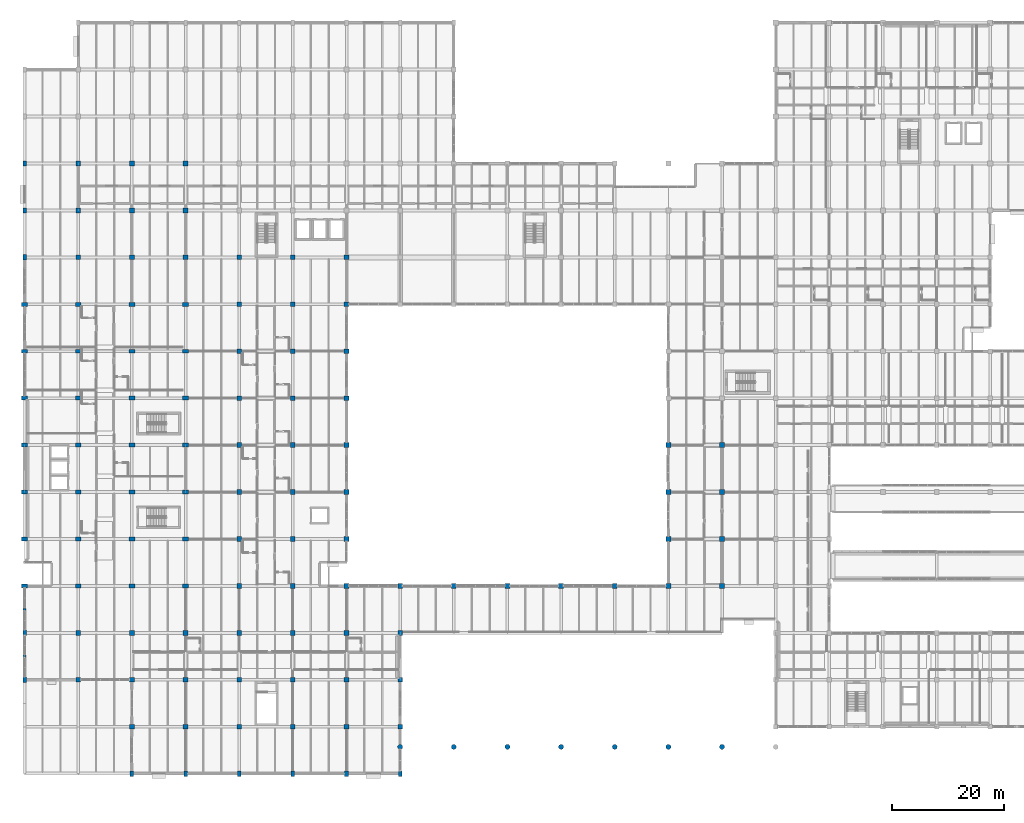
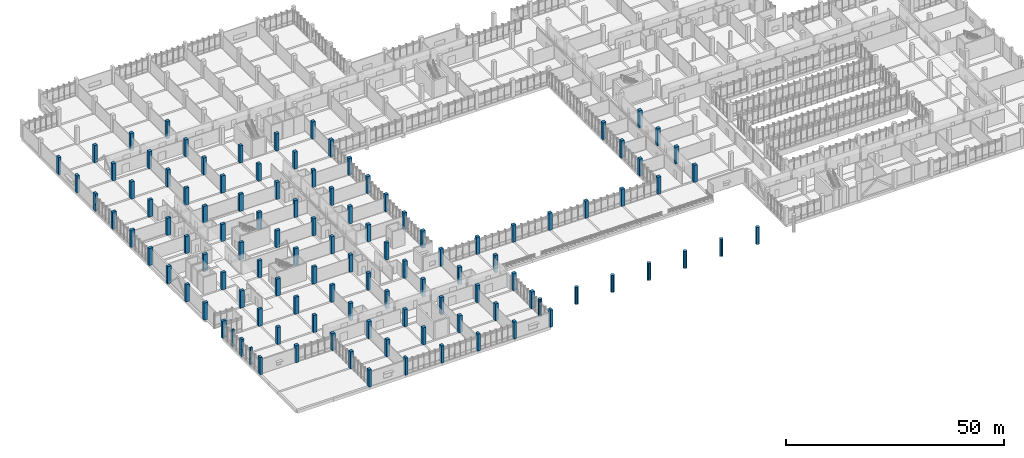
# One storey, part 1 of 152: 114 columns.
"""IFC4 building model written with IfcOpenShell, lengths in metres."""

from ifc_helpers import new_model, si_unit, direction, frame, origin, origin_2d, place, context, subcontext, project, spatial, rectangle, circle, extrude, material, material_profile, profile_set, type_object, element, save


model = new_model("IFC4")

# Units and contexts
model_context = context("Model", 3, precision=1e-05, world=origin(), true_north=direction((0.0, 1.0)))
body_context = subcontext(model_context, "Body", "Model", "MODEL_VIEW")
ifc_project = project(units=[si_unit("LENGTHUNIT", "METRE"), si_unit("AREAUNIT", "SQUARE_METRE"), si_unit("VOLUMEUNIT", "CUBIC_METRE"), si_unit("PLANEANGLEUNIT", "RADIAN"), si_unit("MASSUNIT", "GRAM", prefix="KILO")], contexts=[model_context])

# Site, building, storey
site_placement = place(None, origin())
site = spatial("IfcSite", under=ifc_project, at=site_placement, CompositionType="ELEMENT")
building_placement = place(site_placement, origin())
building = spatial("IfcBuilding", under=site, at=building_placement, Name="Oolite Switchyard Hospital", CompositionType="ELEMENT")
storey_placement = place(building_placement, frame((0.0, 0.0, 5.10009765625)))
storey = spatial("IfcBuildingStorey", under=building, at=storey_placement, Name="L01", CompositionType="ELEMENT", Elevation=5.10009765625)

# Columns
ifc_material_1 = material(Name="Precast concrete C40/50", Category="concrete")
ifc_material_profile_1 = material_profile(ifc_material_1, circle(Radius=0.449951171875, at=origin_2d()), Name="RCCOL900")
ifc_profile_set_1 = profile_set([ifc_material_profile_1], Name="Precast concrete C40/50")
column_type_1 = type_object("IfcColumnType", Name="COL-PORT900", PredefinedType="COLUMN", material=ifc_profile_set_1)
for number, where, z_axis, x_axis, name in (
    (1, (67.199951171875, 4.800048828125, 0.0), (0.0, 0.0, 1.0), (1.0, 0.0, 0.0), "L01 Column 445"),
    (2, (76.800048828125, 4.800048828125, 0.0), (0.0, 0.0, 1.0), (1.0, 0.0, 0.0), "L01 Column 457"),
    (3, (86.39990234375, 4.800048828125, 0.0), (0.0, 0.0, 1.0), (1.0, 0.0, 0.0), "L01 Column 466"),
    (4, (96.0, 4.800048828125, 0.0), (0.0, 0.0, 1.0), (1.0, 0.0, 0.0), "L01 Column 472"),
    (5, (105.60009765625, 4.800048828125, 0.0), (0.0, 0.0, 1.0), (1.0, 0.0, 0.0), "L01 Column 478"),
    (6, (115.199951171875, 4.800048828125, 0.0), (0.0, 0.0, 1.0), (1.0, 0.0, 0.0), "L01 Column 484"),
    (7, (124.800048828125, 4.800048828125, 0.0), (0.0, 0.0, 1.0), (1.0, 0.0, 0.0), "L01 Column 495"),
):
    element("IfcColumn", number, at=place(storey_placement, frame(where, z_axis=z_axis, x_axis=x_axis)), inside=storey, type_object=column_type_1, Name=name, PredefinedType="COLUMN", context=body_context, shape_type="SweptSolid", body=[
        extrude(circle(Radius=0.449951171875, at=origin_2d()), origin(), (0.0, 0.0, 1.0), 4.7998046875),
    ])
ifc_material_2 = material(Name="Concrete C50/60", Category="concrete")
ifc_material_profile_2 = material_profile(ifc_material_2, rectangle(XDim=0.85009765625, YDim=0.85009765625, at=origin_2d()), Name="RC850X850")
ifc_profile_set_2 = profile_set([ifc_material_profile_2], Name="Concrete C50/60")
column_type_2 = type_object("IfcColumnType", Name="COL-RC850", PredefinedType="COLUMN", material=ifc_profile_set_2)
for number, where, z_axis, x_axis, name in (
    (8, (9.60009765625, 16.800048828125, 0.0), (0.0, 0.0, 1.0), (1.0, 0.0, 0.0), "L01 Column 344"),
    (9, (9.60009765625, 25.199951171875, 0.0), (0.0, 0.0, 1.0), (1.0, 0.0, 0.0), "L01 Column 345"),
    (10, (9.60009765625, 92.39990234375, 0.0), (0.0, 0.0, 1.0), (1.0, 0.0, 0.0), "L01 Column 353"),
    (11, (9.60009765625, 100.800048828125, 0.0), (0.0, 0.0, 1.0), (1.0, 0.0, 0.0), "L01 Column 354"),
    (12, (9.60009765625, 109.199951171875, 0.0), (0.0, 0.0, 1.0), (1.0, 0.0, 0.0), "L01 Column 355"),
    (13, (19.199951171875, 8.39990234375, 0.0), (0.0, 0.0, 1.0), (1.0, 0.0, 0.0), "L01 Column 360"),
    (14, (19.199951171875, 16.800048828125, 0.0), (0.0, 0.0, 1.0), (1.0, 0.0, 0.0), "L01 Column 361"),
    (15, (19.199951171875, 25.199951171875, 0.0), (0.0, 0.0, 1.0), (1.0, 0.0, 0.0), "L01 Column 362"),
    (16, (19.199951171875, 92.39990234375, 0.0), (0.0, 0.0, 1.0), (1.0, 0.0, 0.0), "L01 Column 370"),
    (17, (19.199951171875, 100.800048828125, 0.0), (0.0, 0.0, 1.0), (1.0, 0.0, 0.0), "L01 Column 371"),
    (18, (19.199951171875, 109.199951171875, 0.0), (0.0, 0.0, 1.0), (1.0, 0.0, 0.0), "L01 Column 372"),
    (19, (28.800048828125, 8.39990234375, 0.0), (0.0, 0.0, 1.0), (1.0, 0.0, 0.0), "L01 Column 377"),
    (20, (28.800048828125, 16.800048828125, 0.0), (0.0, 0.0, 1.0), (1.0, 0.0, 0.0), "L01 Column 378"),
    (21, (28.800048828125, 25.199951171875, 0.0), (0.0, 0.0, 1.0), (1.0, 0.0, 0.0), "L01 Column 379"),
    (22, (28.800048828125, 92.39990234375, 0.0), (0.0, 0.0, 1.0), (1.0, 0.0, 0.0), "L01 Column 387"),
    (23, (28.800048828125, 100.800048828125, 0.0), (0.0, 0.0, 1.0), (1.0, 0.0, 0.0), "L01 Column 388"),
    (24, (28.800048828125, 109.199951171875, 0.0), (0.0, 0.0, 1.0), (1.0, 0.0, 0.0), "L01 Column 389"),
    (25, (38.39990234375, 8.39990234375, 0.0), (0.0, 0.0, 1.0), (1.0, 0.0, 0.0), "L01 Column 394"),
    (26, (38.39990234375, 16.800048828125, 0.0), (0.0, 0.0, 1.0), (1.0, 0.0, 0.0), "L01 Column 395"),
    (27, (38.39990234375, 25.199951171875, 0.0), (0.0, 0.0, 1.0), (1.0, 0.0, 0.0), "L01 Column 396"),
    (28, (38.39990234375, 33.60009765625, 0.0), (0.0, 0.0, 1.0), (1.0, 0.0, 0.0), "L01 Column 397"),
    (29, (38.39990234375, 42.0, 0.0), (0.0, 0.0, 1.0), (1.0, 0.0, 0.0), "L01 Column 398"),
    (30, (38.39990234375, 50.39990234375, 0.0), (0.0, 0.0, 1.0), (1.0, 0.0, 0.0), "L01 Column 399"),
    (31, (38.39990234375, 58.800048828125, 0.0), (0.0, 0.0, 1.0), (1.0, 0.0, 0.0), "L01 Column 400"),
    (32, (38.39990234375, 67.199951171875, 0.0), (0.0, 0.0, 1.0), (1.0, 0.0, 0.0), "L01 Column 401"),
    (33, (38.39990234375, 75.60009765625, 0.0), (0.0, 0.0, 1.0), (1.0, 0.0, 0.0), "L01 Column 402"),
    (34, (38.39990234375, 84.0, 0.0), (0.0, 0.0, 1.0), (1.0, 0.0, 0.0), "L01 Column 403"),
    (35, (38.39990234375, 92.39990234375, 0.0), (0.0, 0.0, 1.0), (1.0, 0.0, 0.0), "L01 Column 404"),
    (36, (48.0, 8.39990234375, 0.0), (0.0, 0.0, 1.0), (1.0, 0.0, 0.0), "L01 Column 411"),
    (37, (48.0, 16.800048828125, 0.0), (0.0, 0.0, 1.0), (1.0, 0.0, 0.0), "L01 Column 412"),
    (38, (48.0, 25.199951171875, 0.0), (0.0, 0.0, 1.0), (1.0, 0.0, 0.0), "L01 Column 413"),
    (39, (48.0, 33.60009765625, 0.0), (0.0, 0.0, 1.0), (1.0, 0.0, 0.0), "L01 Column 414"),
    (40, (48.0, 42.0, 0.0), (0.0, 0.0, 1.0), (1.0, 0.0, 0.0), "L01 Column 415"),
    (41, (48.0, 50.39990234375, 0.0), (0.0, 0.0, 1.0), (1.0, 0.0, 0.0), "L01 Column 416"),
    (42, (48.0, 58.800048828125, 0.0), (0.0, 0.0, 1.0), (1.0, 0.0, 0.0), "L01 Column 417"),
    (43, (48.0, 67.199951171875, 0.0), (0.0, 0.0, 1.0), (1.0, 0.0, 0.0), "L01 Column 418"),
    (44, (48.0, 75.60009765625, 0.0), (0.0, 0.0, 1.0), (1.0, 0.0, 0.0), "L01 Column 419"),
    (45, (48.0, 84.0, 0.0), (0.0, 0.0, 1.0), (1.0, 0.0, 0.0), "L01 Column 420"),
    (46, (48.0, 92.39990234375, 0.0), (0.0, 0.0, 1.0), (1.0, 0.0, 0.0), "L01 Column 421"),
    (47, (57.60009765625, 8.39990234375, 0.0), (0.0, 0.0, 1.0), (1.0, 0.0, 0.0), "L01 Column 428"),
    (48, (57.60009765625, 16.800048828125, 0.0), (0.0, 0.0, 1.0), (1.0, 0.0, 0.0), "L01 Column 429"),
    (49, (57.60009765625, 25.199951171875, 0.0), (0.0, 0.0, 1.0), (1.0, 0.0, 0.0), "L01 Column 430"),
    (50, (57.60009765625, 33.60009765625, 0.0), (0.0, 0.0, 1.0), (1.0, 0.0, 0.0), "L01 Column 431"),
    (51, (57.60009765625, 42.0, 0.0), (0.0, 0.0, 1.0), (1.0, 0.0, 0.0), "L01 Column 432"),
    (52, (57.60009765625, 50.39990234375, 0.0), (0.0, 0.0, 1.0), (1.0, 0.0, 0.0), "L01 Column 433"),
    (53, (57.60009765625, 58.800048828125, 0.0), (0.0, 0.0, 1.0), (1.0, 0.0, 0.0), "L01 Column 434"),
    (54, (57.60009765625, 67.199951171875, 0.0), (0.0, 0.0, 1.0), (1.0, 0.0, 0.0), "L01 Column 435"),
    (55, (57.60009765625, 75.60009765625, 0.0), (0.0, 0.0, 1.0), (1.0, 0.0, 0.0), "L01 Column 436"),
    (56, (57.60009765625, 84.0, 0.0), (0.0, 0.0, 1.0), (1.0, 0.0, 0.0), "L01 Column 437"),
    (57, (57.60009765625, 92.39990234375, 0.0), (0.0, 0.0, 1.0), (1.0, 0.0, 0.0), "L01 Column 438"),
    (58, (67.199951171875, 8.39990234375, 0.0), (0.0, 0.0, 1.0), (1.0, 0.0, 0.0), "L01 Column 446"),
    (59, (67.199951171875, 16.800048828125, 0.0), (0.0, 0.0, 1.0), (1.0, 0.0, 0.0), "L01 Column 447"),
    (60, (67.199951171875, 25.199951171875, 0.0), (0.0, 0.0, 1.0), (1.0, 0.0, 0.0), "L01 Column 448"),
    (61, (67.199951171875, 33.60009765625, 0.0), (0.0, 0.0, 1.0), (1.0, 0.0, 0.0), "L01 Column 449"),
    (62, (76.800048828125, 33.60009765625, 0.0), (0.0, 0.0, 1.0), (1.0, 0.0, 0.0), "L01 Column 458"),
    (63, (86.39990234375, 33.60009765625, 0.0), (0.0, 0.0, 1.0), (1.0, 0.0, 0.0), "L01 Column 467"),
    (64, (96.0, 33.60009765625, 0.0), (0.0, 0.0, 1.0), (1.0, 0.0, 0.0), "L01 Column 473"),
    (65, (105.60009765625, 33.60009765625, 0.0), (0.0, 0.0, 1.0), (1.0, 0.0, 0.0), "L01 Column 479"),
    (66, (115.199951171875, 33.60009765625, 0.0), (0.0, 0.0, 1.0), (1.0, 0.0, 0.0), "L01 Column 485"),
    (67, (115.199951171875, 42.0, 0.0), (0.0, 0.0, 1.0), (1.0, 0.0, 0.0), "L01 Column 486"),
    (68, (115.199951171875, 50.39990234375, 0.0), (0.0, 0.0, 1.0), (1.0, 0.0, 0.0), "L01 Column 487"),
    (69, (115.199951171875, 58.800048828125, 0.0), (0.0, 0.0, 1.0), (1.0, 0.0, 0.0), "L01 Column 488"),
    (70, (124.800048828125, 33.60009765625, 0.0), (0.0, 0.0, 1.0), (1.0, 0.0, 0.0), "L01 Column 496"),
    (71, (124.800048828125, 42.0, 0.0), (0.0, 0.0, 1.0), (1.0, 0.0, 0.0), "L01 Column 497"),
    (72, (124.800048828125, 50.39990234375, 0.0), (0.0, 0.0, 1.0), (1.0, 0.0, 0.0), "L01 Column 498"),
    (73, (124.800048828125, 58.800048828125, 0.0), (0.0, 0.0, 1.0), (1.0, 0.0, 0.0), "L01 Column 499"),
):
    element("IfcColumn", number, at=place(storey_placement, frame(where, z_axis=z_axis, x_axis=x_axis)), inside=storey, type_object=column_type_2, Name=name, PredefinedType="COLUMN", context=body_context, shape_type="SweptSolid", body=[
        extrude(rectangle(XDim=0.85009765625, YDim=0.85009765625, at=origin_2d()), origin(), (0.0, 0.0, 1.0), 4.7998046875),
    ])
ifc_material_profile_3 = material_profile(ifc_material_2, rectangle(XDim=1.050048828125, YDim=0.699951171875, at=origin_2d()), Name="RC1050X700")
ifc_profile_set_3 = profile_set([ifc_material_profile_3], Name="Concrete C50/60")
column_type_3 = type_object("IfcColumnType", Name="COL-RCR1050", PredefinedType="COLUMN", material=ifc_profile_set_3)
for number, where, z_axis, x_axis, name in (
    (74, (0.0, 33.60009765625, 0.0), (0.0, 0.0, 1.0), (1.0, 0.0, 0.0), "L01 Column 332"),
    (75, (0.0, 42.0, 0.0), (0.0, 0.0, 1.0), (1.0, 0.0, 0.0), "L01 Column 333"),
    (76, (0.0, 50.39990234375, 0.0), (0.0, 0.0, 1.0), (1.0, 0.0, 0.0), "L01 Column 334"),
    (77, (0.0, 58.800048828125, 0.0), (0.0, 0.0, 1.0), (1.0, 0.0, 0.0), "L01 Column 335"),
    (78, (0.0, 67.199951171875, 0.0), (0.0, 0.0, 1.0), (1.0, 0.0, 0.0), "L01 Column 336"),
    (79, (0.0, 75.60009765625, 0.0), (0.0, 0.0, 1.0), (1.0, 0.0, 0.0), "L01 Column 337"),
    (80, (0.0, 84.0, 0.0), (0.0, 0.0, 1.0), (1.0, 0.0, 0.0), "L01 Column 338"),
    (81, (9.60009765625, 33.60009765625, 0.0), (0.0, 0.0, 1.0), (1.0, 0.0, 0.0), "L01 Column 346"),
    (82, (9.60009765625, 42.0, 0.0), (0.0, 0.0, 1.0), (1.0, 0.0, 0.0), "L01 Column 347"),
    (83, (9.60009765625, 50.39990234375, 0.0), (0.0, 0.0, 1.0), (1.0, 0.0, 0.0), "L01 Column 348"),
    (84, (9.60009765625, 58.800048828125, 0.0), (0.0, 0.0, 1.0), (1.0, 0.0, 0.0), "L01 Column 349"),
    (85, (9.60009765625, 67.199951171875, 0.0), (0.0, 0.0, 1.0), (1.0, 0.0, 0.0), "L01 Column 350"),
    (86, (9.60009765625, 75.60009765625, 0.0), (0.0, 0.0, 1.0), (1.0, 0.0, 0.0), "L01 Column 351"),
    (87, (9.60009765625, 84.0, 0.0), (0.0, 0.0, 1.0), (1.0, 0.0, 0.0), "L01 Column 352"),
    (88, (19.199951171875, 33.60009765625, 0.0), (0.0, 0.0, 1.0), (1.0, 0.0, 0.0), "L01 Column 363"),
    (89, (19.199951171875, 42.0, 0.0), (0.0, 0.0, 1.0), (1.0, 0.0, 0.0), "L01 Column 364"),
    (90, (19.199951171875, 50.39990234375, 0.0), (0.0, 0.0, 1.0), (1.0, 0.0, 0.0), "L01 Column 365"),
    (91, (19.199951171875, 58.800048828125, 0.0), (0.0, 0.0, 1.0), (1.0, 0.0, 0.0), "L01 Column 366"),
    (92, (19.199951171875, 67.199951171875, 0.0), (0.0, 0.0, 1.0), (1.0, 0.0, 0.0), "L01 Column 367"),
    (93, (19.199951171875, 75.60009765625, 0.0), (0.0, 0.0, 1.0), (1.0, 0.0, 0.0), "L01 Column 368"),
    (94, (19.199951171875, 84.0, 0.0), (0.0, 0.0, 1.0), (1.0, 0.0, 0.0), "L01 Column 369"),
    (95, (28.800048828125, 33.60009765625, 0.0), (0.0, 0.0, 1.0), (1.0, 0.0, 0.0), "L01 Column 380"),
    (96, (28.800048828125, 42.0, 0.0), (0.0, 0.0, 1.0), (1.0, 0.0, 0.0), "L01 Column 381"),
    (97, (28.800048828125, 50.39990234375, 0.0), (0.0, 0.0, 1.0), (1.0, 0.0, 0.0), "L01 Column 382"),
    (98, (28.800048828125, 58.800048828125, 0.0), (0.0, 0.0, 1.0), (1.0, 0.0, 0.0), "L01 Column 383"),
    (99, (28.800048828125, 67.199951171875, 0.0), (0.0, 0.0, 1.0), (1.0, 0.0, 0.0), "L01 Column 384"),
    (100, (28.800048828125, 75.60009765625, 0.0), (0.0, 0.0, 1.0), (1.0, 0.0, 0.0), "L01 Column 385"),
    (101, (28.800048828125, 84.0, 0.0), (0.0, 0.0, 1.0), (1.0, 0.0, 0.0), "L01 Column 386"),
):
    element("IfcColumn", number, at=place(storey_placement, frame(where, z_axis=z_axis, x_axis=x_axis)), inside=storey, type_object=column_type_3, Name=name, PredefinedType="COLUMN", context=body_context, shape_type="SweptSolid", body=[
        extrude(rectangle(XDim=1.050048828125, YDim=0.699951171875, at=origin_2d()), origin(), (0.0, 0.0, 1.0), 4.7998046875),
    ])
ifc_material_profile_4 = material_profile(ifc_material_2, rectangle(XDim=0.949951171875, YDim=0.64990234375, at=origin_2d()), Name="RC950X650")
ifc_profile_set_4 = profile_set([ifc_material_profile_4], Name="Concrete C50/60")
column_type_4 = type_object("IfcColumnType", Name="COL-RCR950", PredefinedType="COLUMN", material=ifc_profile_set_4)
for number, where, z_axis, x_axis, name in (
    (102, (0.0, 16.800048828125, 0.0), (0.0, 0.0, 1.0), (0.0, 1.0, 0.0), "L01 Column 330"),
    (103, (0.0, 25.199951171875, 0.0), (0.0, 0.0, 1.0), (0.0, 1.0, 0.0), "L01 Column 331"),
    (104, (0.0, 92.39990234375, 0.0), (0.0, 0.0, 1.0), (0.0, 1.0, 0.0), "L01 Column 339"),
    (105, (0.0, 100.800048828125, 0.0), (0.0, 0.0, 1.0), (0.0, 1.0, 0.0), "L01 Column 340"),
    (106, (0.0, 109.199951171875, 0.0), (0.0, 0.0, 1.0), (0.0, 1.0, 0.0), "L01 Column 341"),
    (107, (19.199951171875, 0.0, 0.0), (0.0, 0.0, 1.0), (0.0, 1.0, 0.0), "L01 Column 359"),
    (108, (28.800048828125, 0.0, 0.0), (0.0, 0.0, 1.0), (0.0, 1.0, 0.0), "L01 Column 376"),
    (109, (38.39990234375, 0.0, 0.0), (0.0, 0.0, 1.0), (0.0, 1.0, 0.0), "L01 Column 393"),
    (110, (48.0, 0.0, 0.0), (0.0, 0.0, 1.0), (0.0, 1.0, 0.0), "L01 Column 410"),
    (111, (57.60009765625, 0.0, 0.0), (0.0, 0.0, 1.0), (0.0, 1.0, 0.0), "L01 Column 427"),
    (112, (67.199951171875, 0.0, 0.0), (0.0, 0.0, 1.0), (0.0, 1.0, 0.0), "L01 Column 444"),
):
    element("IfcColumn", number, at=place(storey_placement, frame(where, z_axis=z_axis, x_axis=x_axis)), inside=storey, type_object=column_type_4, Name=name, PredefinedType="COLUMN", context=body_context, shape_type="SweptSolid", body=[
        extrude(rectangle(XDim=0.949951171875, YDim=0.64990234375, at=origin_2d()), origin(), (0.0, 0.0, 1.0), 4.7998046875),
    ])
ifc_material_profile_5 = material_profile(ifc_material_1, rectangle(XDim=0.56005859375, YDim=0.39990234375, at=origin_2d()), Name="PIL560X400")
ifc_profile_set_5 = profile_set([ifc_material_profile_5], Name="Precast concrete C40/50")
column_type_5 = type_object("IfcColumnType", Name="PIL-560X400", PredefinedType="PILASTER", material=ifc_profile_set_5)
for number, where, z_axis, x_axis, name in (
    (113, (0.0, 21.0, 0.0), (0.0, 0.0, 1.0), (1.0, 0.0, 0.0), "L01 Classical Pilaster 27"),
    (114, (0.0, 29.39990234375, 0.0), (0.0, 0.0, 1.0), (1.0, 0.0, 0.0), "L01 Classical Pilaster 28"),
):
    element("IfcColumn", number, at=place(storey_placement, frame(where, z_axis=z_axis, x_axis=x_axis)), inside=storey, type_object=column_type_5, Name=name, PredefinedType="PILASTER", context=body_context, shape_type="SweptSolid", body=[
        extrude(rectangle(XDim=0.56005859375, YDim=0.39990234375, at=origin_2d()), origin(), (0.0, 0.0, 1.0), 4.7998046875),
    ])

save(model, "model.ifc")
